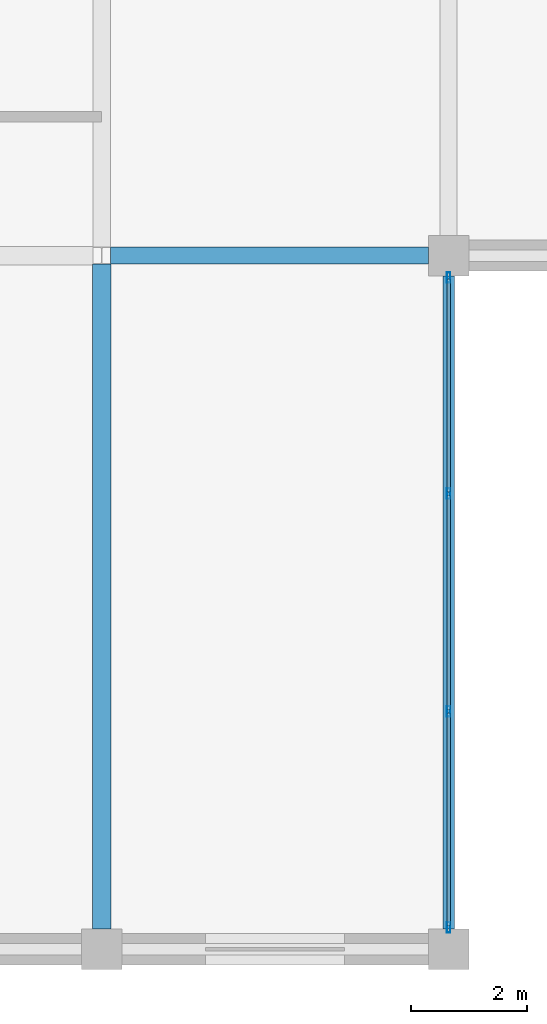
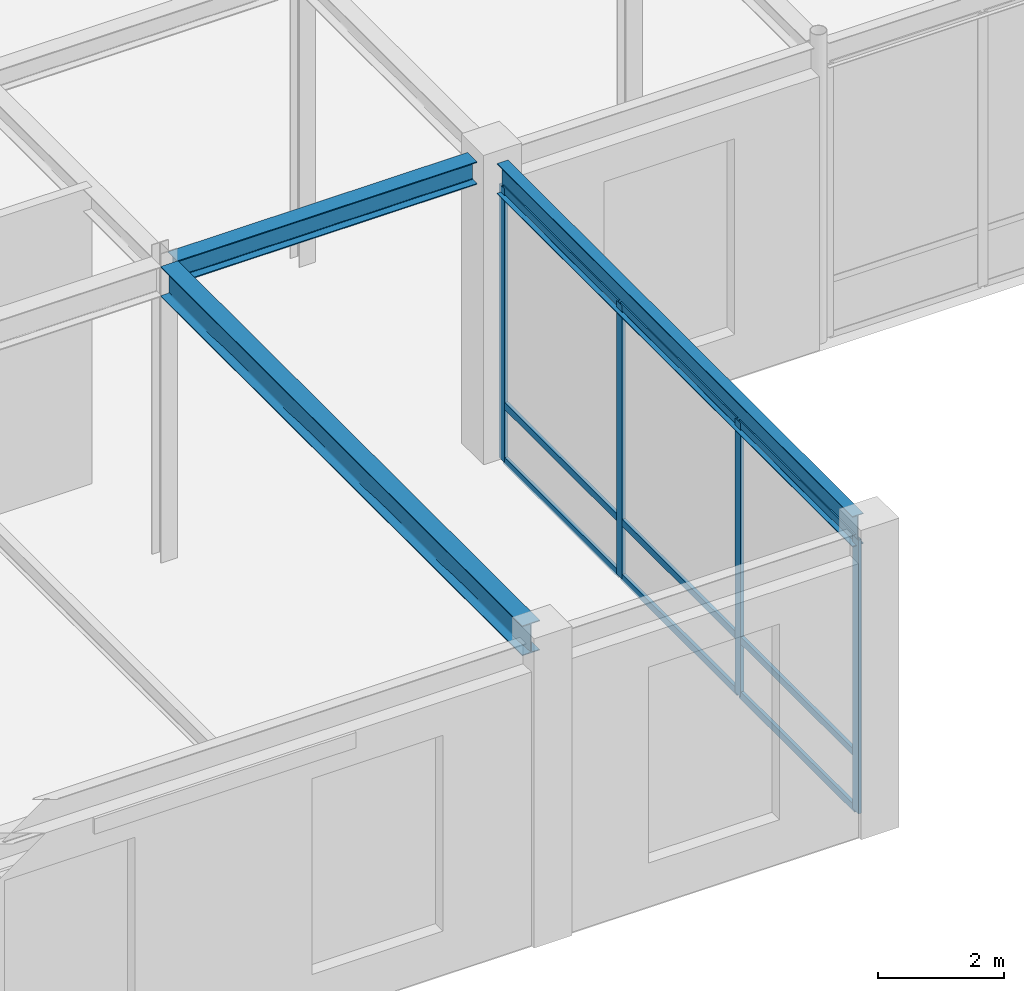
# One storey, part 33 of 108: 13 members, 3 beams, 1 element without a shape of its own.
"""IFC4 building model written with IfcOpenShell, lengths in metres."""

from ifc_helpers import new_model, si_unit, direction, frame, origin, origin_2d, place, context, subcontext, project, spatial, hollow_rectangle, i_section, extrude, material, layer, layer_set, material_profile, profile_set, type_object, element, aggregate, save


model = new_model("IFC4")

# Units and contexts
model_context = context("Model", 3, precision=1e-05, world=origin(), true_north=direction((0.0, 1.0)))
body_context = subcontext(model_context, "Body", "Model", "MODEL_VIEW")
ifc_project = project(units=[si_unit("LENGTHUNIT", "METRE"), si_unit("AREAUNIT", "SQUARE_METRE"), si_unit("VOLUMEUNIT", "CUBIC_METRE"), si_unit("PLANEANGLEUNIT", "RADIAN"), si_unit("MASSUNIT", "GRAM", prefix="KILO")], contexts=[model_context])

# Site, building, storey
site_placement = place(None, origin())
site = spatial("IfcSite", under=ifc_project, at=site_placement, CompositionType="ELEMENT")
building_placement = place(site_placement, origin())
building = spatial("IfcBuilding", under=site, at=building_placement, Name="Zlatovratsky Civic Hall", CompositionType="ELEMENT")
storey_placement = place(building_placement, frame((0.0, 0.0, 6.0)))
storey = spatial("IfcBuildingStorey", under=building, at=storey_placement, Name="L02", CompositionType="ELEMENT", Elevation=6.0)

# Beams
ifc_material_1 = material(Name="Steel S355", Category="steel")
ifc_material_profile_1 = material_profile(ifc_material_1, i_section(OverallWidth=0.320068359375, OverallDepth=0.58203125, WebThickness=0.011962890625, FlangeThickness=0.01708984375, FilletRadius=0.02392578125, at=origin_2d()), Name="60Sh1")
ifc_profile_set_1 = profile_set([ifc_material_profile_1], Name="Steel S355")
beam_type_1 = type_object("IfcBeamType", Name="Beam_PodiumGirder_60Sh1", PredefinedType="BEAM", material=ifc_profile_set_1)
beam_1_placement = place(storey_placement, frame((48.0, 0.35009765625, 5.468994140625), z_axis=(0.0, 1.0, 0.0), x_axis=(-1.0, 0.0, 0.0)))
element("IfcBeam", 1, at=beam_1_placement, inside=storey, type_object=beam_type_1, Name="BM-2130", PredefinedType="BEAM", context=body_context, shape_type="SweptSolid", body=[
    extrude(i_section(OverallWidth=0.320068359375, OverallDepth=0.58203125, WebThickness=0.011962890625, FlangeThickness=0.01708984375, FilletRadius=0.02392578125, at=origin_2d()), origin(), (0.0, 0.0, 1.0), 11.5),
])
ifc_material_profile_2 = material_profile(ifc_material_1, i_section(OverallWidth=0.198974609375, OverallDepth=0.593017578125, WebThickness=0.010498046875, FlangeThickness=0.014892578125, FilletRadius=0.01806640625, at=origin_2d()), Name="60B1")
ifc_profile_set_2 = profile_set([ifc_material_profile_2], Name="Steel S355")
beam_type_2 = type_object("IfcBeamType", Name="Beam_Spandrel_60B1", PredefinedType="SPANDREL", material=ifc_profile_set_2)
beam_2_placement = place(storey_placement, frame((54.0, 0.35009765625, 5.46337890625), z_axis=(0.0, 1.0, 0.0), x_axis=(-1.0, 0.0, 0.0)))
element("IfcBeam", 2, at=beam_2_placement, inside=storey, type_object=beam_type_2, Name="BM-2147", PredefinedType="SPANDREL", context=body_context, shape_type="SweptSolid", body=[
    extrude(i_section(OverallWidth=0.198974609375, OverallDepth=0.593017578125, WebThickness=0.010498046875, FlangeThickness=0.014892578125, FilletRadius=0.01806640625, at=origin_2d()), origin(), (0.0, 0.0, 1.0), 11.2998046875),
])
ifc_material_profile_3 = material_profile(ifc_material_1, i_section(OverallWidth=0.300048828125, OverallDepth=0.43994140625, WebThickness=0.010986328125, FlangeThickness=0.01806640625, FilletRadius=0.02197265625, at=origin_2d()), Name="45Sh1")
ifc_profile_set_3 = profile_set([ifc_material_profile_3], Name="Steel S355")
beam_type_3 = type_object("IfcBeamType", Name="Beam_TowerLow_45Sh1", PredefinedType="BEAM", material=ifc_profile_set_3)
beam_3_placement = place(storey_placement, frame((48.14990234375, 12.0, 5.5400390625), z_axis=(1.0, 0.0, 0.0), x_axis=(0.0, 1.0, 0.0)))
element("IfcBeam", 3, at=beam_3_placement, inside=storey, type_object=beam_type_3, Name="BM-1744", PredefinedType="BEAM", context=body_context, shape_type="SweptSolid", body=[
    extrude(i_section(OverallWidth=0.300048828125, OverallDepth=0.43994140625, WebThickness=0.010986328125, FlangeThickness=0.01806640625, FilletRadius=0.02197265625, at=origin_2d()), origin(), (0.0, 0.0, 1.0), 5.5),
])

# Curtain wall, members
ifc_material_2 = material(Name="Anodised bronze aluminium", Category="aluminium")
ifc_layer = layer(ifc_material_2, 0.159912109375)
ifc_layer_set = layer_set([ifc_layer], Name="Anodised bronze aluminium")
curtain_wall_type = type_object("IfcCurtainWallType", Name="CurtainWall_Bronze_11300x5310_02", PredefinedType="NOTDEFINED", material=ifc_layer_set)
curtain_wall_placement = place(storey_placement, origin())
curtain_wall = element("IfcCurtainWall", 4, at=curtain_wall_placement, inside=storey, type_object=curtain_wall_type, Name="CW-003", PredefinedType="NOTDEFINED")
ifc_material_profile_4 = material_profile(ifc_material_2, hollow_rectangle(XDim=0.06005859375, YDim=0.179931640625, WallThickness=0.00390625, at=origin_2d()), Name="ALU 60x180x4")
ifc_profile_set_4 = profile_set([ifc_material_profile_4], Name="Anodised bronze aluminium")
member_type_1 = type_object("IfcMemberType", Name="CW_Mullion_60x180", PredefinedType="MULLION", material=ifc_profile_set_4)
member_1_placement = place(storey_placement, frame((54.0, 0.3798828125, 0.0), z_axis=(0.0, 0.0, 1.0), x_axis=(-1.0, 0.0, 0.0)))
member_1 = element("IfcMember", 5, at=member_1_placement, type_object=member_type_1, Name="CW-02 mullion 1", PredefinedType="MULLION", context=body_context, shape_type="SweptSolid", body=[
    extrude(hollow_rectangle(XDim=0.06005859375, YDim=0.179931640625, WallThickness=0.00390625, at=origin_2d()), origin(), (0.0, 0.0, 1.0), 5.31005859375),
])
member_2_placement = place(storey_placement, frame((54.0, 4.11669921875, 0.0), z_axis=(0.0, 0.0, 1.0), x_axis=(-1.0, 0.0, 0.0)))
member_2 = element("IfcMember", 6, at=member_2_placement, type_object=member_type_1, Name="CW-02 mullion 2", PredefinedType="MULLION", context=body_context, shape_type="SweptSolid", body=[
    extrude(hollow_rectangle(XDim=0.06005859375, YDim=0.179931640625, WallThickness=0.00390625, at=origin_2d()), origin(), (0.0, 0.0, 1.0), 5.31005859375),
])
member_3_placement = place(storey_placement, frame((54.0, 7.88330078125, 0.0), z_axis=(0.0, 0.0, 1.0), x_axis=(-1.0, 0.0, 0.0)))
member_3 = element("IfcMember", 7, at=member_3_placement, type_object=member_type_1, Name="CW-02 mullion 3", PredefinedType="MULLION", context=body_context, shape_type="SweptSolid", body=[
    extrude(hollow_rectangle(XDim=0.06005859375, YDim=0.179931640625, WallThickness=0.00390625, at=origin_2d()), origin(), (0.0, 0.0, 1.0), 5.31005859375),
])
member_4_placement = place(storey_placement, frame((54.0, 11.6201171875, 0.0), z_axis=(0.0, 0.0, 1.0), x_axis=(-1.0, 0.0, 0.0)))
member_4 = element("IfcMember", 8, at=member_4_placement, type_object=member_type_1, Name="CW-02 mullion 4", PredefinedType="MULLION", context=body_context, shape_type="SweptSolid", body=[
    extrude(hollow_rectangle(XDim=0.06005859375, YDim=0.179931640625, WallThickness=0.00390625, at=origin_2d()), origin(), (0.0, 0.0, 1.0), 5.31005859375),
])
ifc_material_profile_5 = material_profile(ifc_material_2, hollow_rectangle(XDim=0.06005859375, YDim=0.139892578125, WallThickness=0.00390625, at=origin_2d()), Name="ALU 60x140x4")
ifc_profile_set_5 = profile_set([ifc_material_profile_5], Name="Anodised bronze aluminium")
member_type_2 = type_object("IfcMemberType", Name="CW_Transom_60x140", PredefinedType="USERDEFINED", material=ifc_profile_set_5)
member_5_placement = place(storey_placement, frame((54.0, 0.409912109375, 0.030029296875), z_axis=(0.0, 1.0, 0.0), x_axis=(-1.0, 0.0, 0.0)))
member_5 = element("IfcMember", 9, at=member_5_placement, type_object=member_type_2, Name="CW-02 transom 1.1", ObjectType="TRANSOM", PredefinedType="USERDEFINED", context=body_context, shape_type="SweptSolid", body=[
    extrude(hollow_rectangle(XDim=0.06005859375, YDim=0.139892578125, WallThickness=0.00390625, at=origin_2d()), origin(), (0.0, 0.0, 1.0), 3.6767578125),
])
member_6_placement = place(storey_placement, frame((54.0, 0.409912109375, 1.10009765625), z_axis=(0.0, 1.0, 0.0), x_axis=(-1.0, 0.0, 0.0)))
member_6 = element("IfcMember", 10, at=member_6_placement, type_object=member_type_2, Name="CW-02 transom 1.2", ObjectType="TRANSOM", PredefinedType="USERDEFINED", context=body_context, shape_type="SweptSolid", body=[
    extrude(hollow_rectangle(XDim=0.06005859375, YDim=0.139892578125, WallThickness=0.00390625, at=origin_2d()), origin(), (0.0, 0.0, 1.0), 3.6767578125),
])
member_7_placement = place(storey_placement, frame((54.0, 0.409912109375, 5.280029296875), z_axis=(0.0, 1.0, 0.0), x_axis=(-1.0, 0.0, 0.0)))
member_7 = element("IfcMember", 11, at=member_7_placement, type_object=member_type_2, Name="CW-02 transom 1.3", ObjectType="TRANSOM", PredefinedType="USERDEFINED", context=body_context, shape_type="SweptSolid", body=[
    extrude(hollow_rectangle(XDim=0.06005859375, YDim=0.139892578125, WallThickness=0.00390625, at=origin_2d()), origin(), (0.0, 0.0, 1.0), 3.6767578125),
])
member_8_placement = place(storey_placement, frame((54.0, 4.146728515625, 0.030029296875), z_axis=(0.0, 1.0, 0.0), x_axis=(-1.0, 0.0, 0.0)))
member_8 = element("IfcMember", 12, at=member_8_placement, type_object=member_type_2, Name="CW-02 transom 2.1", ObjectType="TRANSOM", PredefinedType="USERDEFINED", context=body_context, shape_type="SweptSolid", body=[
    extrude(hollow_rectangle(XDim=0.06005859375, YDim=0.139892578125, WallThickness=0.00390625, at=origin_2d()), origin(), (0.0, 0.0, 1.0), 3.70654296875),
])
member_9_placement = place(storey_placement, frame((54.0, 4.146728515625, 1.10009765625), z_axis=(0.0, 1.0, 0.0), x_axis=(-1.0, 0.0, 0.0)))
member_9 = element("IfcMember", 13, at=member_9_placement, type_object=member_type_2, Name="CW-02 transom 2.2", ObjectType="TRANSOM", PredefinedType="USERDEFINED", context=body_context, shape_type="SweptSolid", body=[
    extrude(hollow_rectangle(XDim=0.06005859375, YDim=0.139892578125, WallThickness=0.00390625, at=origin_2d()), origin(), (0.0, 0.0, 1.0), 3.70654296875),
])
member_10_placement = place(storey_placement, frame((54.0, 4.146728515625, 5.280029296875), z_axis=(0.0, 1.0, 0.0), x_axis=(-1.0, 0.0, 0.0)))
member_10 = element("IfcMember", 14, at=member_10_placement, type_object=member_type_2, Name="CW-02 transom 2.3", ObjectType="TRANSOM", PredefinedType="USERDEFINED", context=body_context, shape_type="SweptSolid", body=[
    extrude(hollow_rectangle(XDim=0.06005859375, YDim=0.139892578125, WallThickness=0.00390625, at=origin_2d()), origin(), (0.0, 0.0, 1.0), 3.70654296875),
])
member_11_placement = place(storey_placement, frame((54.0, 7.913330078125, 0.030029296875), z_axis=(0.0, 1.0, 0.0), x_axis=(-1.0, 0.0, 0.0)))
member_11 = element("IfcMember", 15, at=member_11_placement, type_object=member_type_2, Name="CW-02 transom 3.1", ObjectType="TRANSOM", PredefinedType="USERDEFINED", context=body_context, shape_type="SweptSolid", body=[
    extrude(hollow_rectangle(XDim=0.06005859375, YDim=0.139892578125, WallThickness=0.00390625, at=origin_2d()), origin(), (0.0, 0.0, 1.0), 3.6767578125),
])
member_12_placement = place(storey_placement, frame((54.0, 7.913330078125, 1.10009765625), z_axis=(0.0, 1.0, 0.0), x_axis=(-1.0, 0.0, 0.0)))
member_12 = element("IfcMember", 16, at=member_12_placement, type_object=member_type_2, Name="CW-02 transom 3.2", ObjectType="TRANSOM", PredefinedType="USERDEFINED", context=body_context, shape_type="SweptSolid", body=[
    extrude(hollow_rectangle(XDim=0.06005859375, YDim=0.139892578125, WallThickness=0.00390625, at=origin_2d()), origin(), (0.0, 0.0, 1.0), 3.6767578125),
])
member_13_placement = place(storey_placement, frame((54.0, 7.913330078125, 5.280029296875), z_axis=(0.0, 1.0, 0.0), x_axis=(-1.0, 0.0, 0.0)))
member_13 = element("IfcMember", 17, at=member_13_placement, type_object=member_type_2, Name="CW-02 transom 3.3", ObjectType="TRANSOM", PredefinedType="USERDEFINED", context=body_context, shape_type="SweptSolid", body=[
    extrude(hollow_rectangle(XDim=0.06005859375, YDim=0.139892578125, WallThickness=0.00390625, at=origin_2d()), origin(), (0.0, 0.0, 1.0), 3.6767578125),
])
aggregate(curtain_wall, [member_1, member_2, member_3, member_4, member_5, member_6, member_7, member_8, member_9, member_10, member_11, member_12, member_13])

save(model, "model.ifc")
